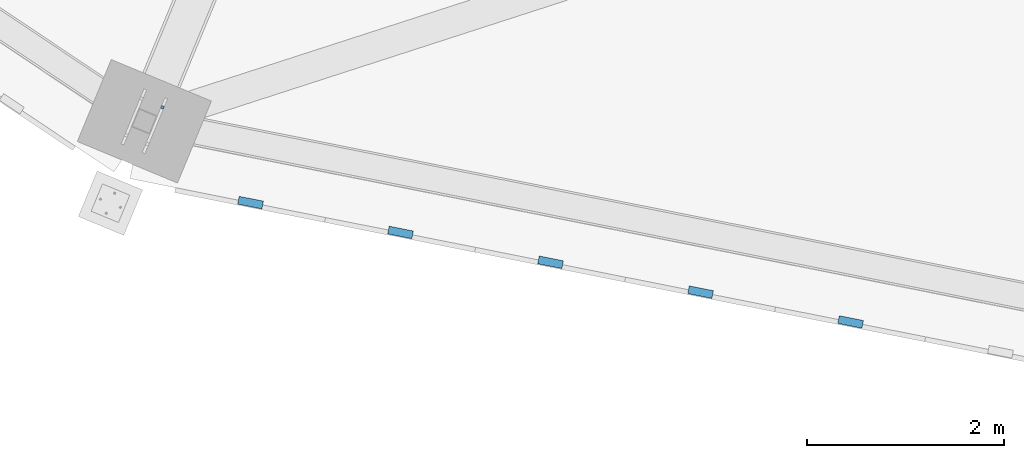
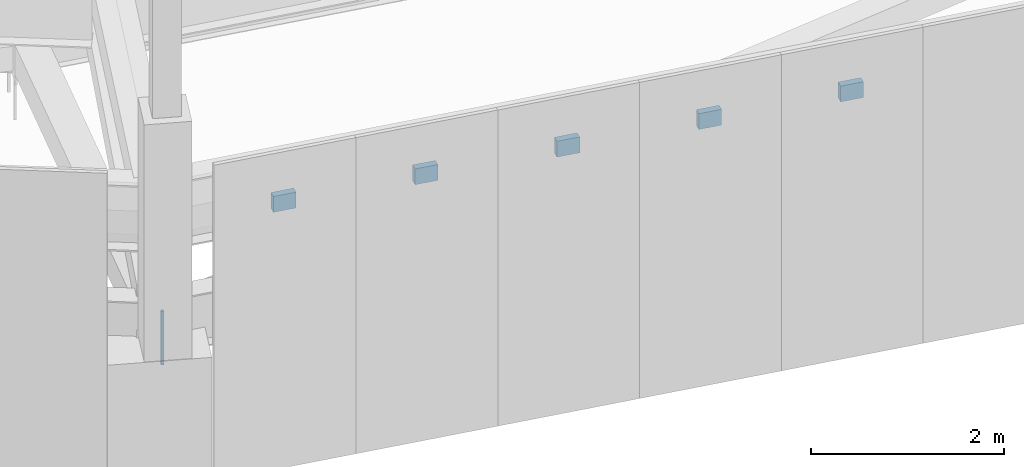
# One storey, part 116 of 278: 5 discrete accessories, 1 mechanical fastener.
"""IFC4 building model written with IfcOpenShell, lengths in metres."""

from ifc_helpers import new_model, si_unit, direction, frame, origin, origin_2d, place, context, subcontext, project, spatial, rectangle, extrude, material, layer, layer_set, type_object, element, save


model = new_model("IFC4")

# Units and contexts
model_context = context("Model", 3, precision=1e-05, world=origin(), true_north=direction((0.0, 1.0)))
body_context = subcontext(model_context, "Body", "Model", "MODEL_VIEW")
ifc_project = project(units=[si_unit("LENGTHUNIT", "METRE"), si_unit("AREAUNIT", "SQUARE_METRE"), si_unit("VOLUMEUNIT", "CUBIC_METRE"), si_unit("PLANEANGLEUNIT", "RADIAN"), si_unit("MASSUNIT", "GRAM", prefix="KILO")], contexts=[model_context])

# Site, building, storey
site_placement = place(None, origin())
site = spatial("IfcSite", under=ifc_project, at=site_placement, CompositionType="ELEMENT")
building_placement = place(site_placement, origin())
building = spatial("IfcBuilding", under=site, at=building_placement, Name="Ogive Plaza Stadium", CompositionType="ELEMENT")
storey_placement = place(building_placement, frame((0.0, 0.0, 29.0)))
storey = spatial("IfcBuildingStorey", under=building, at=storey_placement, Name="Roof", CompositionType="ELEMENT", Elevation=29.0)

# Mechanical fastener
ifc_material_1 = material(Name="Steel ASTM A992 Grade 50", Category="steel")
mechanical_fastener_type = type_object("IfcMechanicalFastenerType", Name="Anchor bolt M30 x 600", PredefinedType="ANCHORBOLT", material=ifc_material_1)
mechanical_fastener_placement = place(storey_placement, frame((-52.9501953125, -98.552001953125, 3.0), z_axis=(0.0, 0.0, 1.0), x_axis=(-0.382683432365, -0.923879532511, 0.0)))
element("IfcMechanicalFastener", 1, at=mechanical_fastener_placement, inside=storey, type_object=mechanical_fastener_type, Name="ANCHOR BOLT 18 BF 1.2", PredefinedType="ANCHORBOLT", context=body_context, shape_type="SweptSolid", body=[
    extrude(rectangle(XDim=0.030029296875, YDim=0.030029296875, at=origin_2d()), origin(), (0.0, 0.0, 1.0), 0.679931640625),
])

# Discrete accessories
ifc_material_2 = material(Name="Steel ASTM A572 Grade 50", Category="steel")
ifc_layer = layer(ifc_material_2, 0.080078125)
ifc_layer_set = layer_set([ifc_layer], Name="Steel ASTM A572 Grade 50")
discrete_accessory_type = type_object("IfcDiscreteAccessoryType", Name="Tracery screen bracket 250x200", PredefinedType="BRACKET", material=ifc_layer_set)
for number, where, z_axis, x_axis, name in (
    (2, (-45.967529296875, -100.730712890625, 5.25), (0.0, 0.0, 1.0), (-0.980785280403, 0.195090322016, 0.0), "TRACERY SCREEN BRACKET B17 8"),
    (3, (-47.489990234375, -100.427978515625, 5.25), (0.0, 0.0, 1.0), (-0.980785280403, 0.195090322016, 0.0), "TRACERY SCREEN BRACKET B17 9"),
    (4, (-49.01220703125, -100.125, 5.25), (0.0, 0.0, 1.0), (-0.980785280403, 0.195090322016, 0.0), "TRACERY SCREEN BRACKET B17 10"),
    (5, (-50.53466796875, -99.822265625, 5.25), (0.0, 0.0, 1.0), (-0.980785280403, 0.195090322016, 0.0), "TRACERY SCREEN BRACKET B17 11"),
    (6, (-52.056884765625, -99.51953125, 5.25), (0.0, 0.0, 1.0), (-0.980785280403, 0.195090322016, 0.0), "TRACERY SCREEN BRACKET B17 12"),
):
    element("IfcDiscreteAccessory", number, at=place(storey_placement, frame(where, z_axis=z_axis, x_axis=x_axis)), inside=storey, type_object=discrete_accessory_type, Name=name, PredefinedType="BRACKET", context=body_context, shape_type="SweptSolid", body=[
        extrude(rectangle(XDim=0.25, YDim=0.080078125, at=origin_2d()), origin(), (0.0, 0.0, 1.0), 0.199951171875),
    ])

save(model, "model.ifc")
